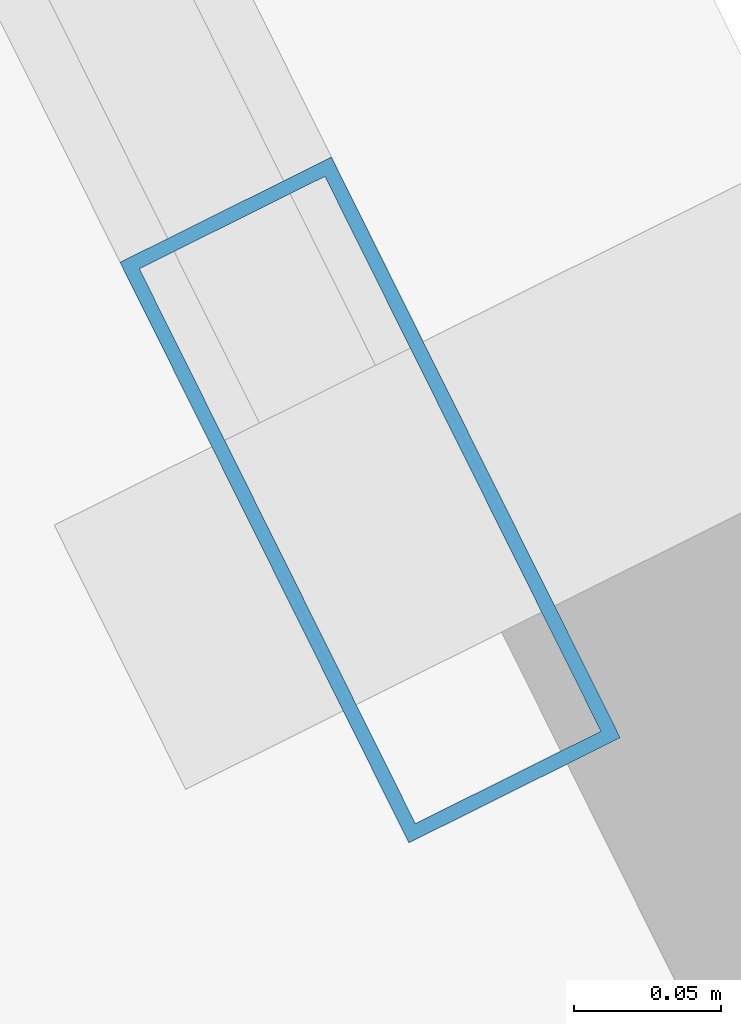
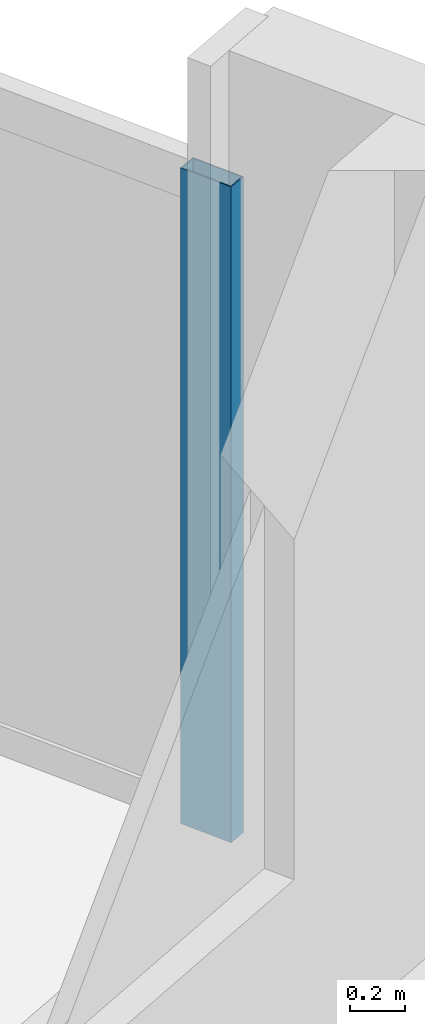
# One storey, part 23 of 35: 1 member, 1 element without a shape of its own.
"""IFC4 building model written with IfcOpenShell, lengths in metres."""

from ifc_helpers import new_model, si_unit, direction, frame, origin, origin_2d, place, context, subcontext, project, spatial, hollow_rectangle, extrude, material, material_profile, profile_set, type_object, element, aggregate, save


model = new_model("IFC4")

# Units and contexts
model_context = context("Model", 3, precision=1e-05, world=origin(), true_north=direction((0.0, 1.0)))
body_context = subcontext(model_context, "Body", "Model", "MODEL_VIEW")
ifc_project = project(units=[si_unit("LENGTHUNIT", "METRE"), si_unit("AREAUNIT", "SQUARE_METRE"), si_unit("VOLUMEUNIT", "CUBIC_METRE"), si_unit("PLANEANGLEUNIT", "RADIAN"), si_unit("MASSUNIT", "GRAM", prefix="KILO")], contexts=[model_context])

# Site, building, storey
site_placement = place(None, origin())
site = spatial("IfcSite", under=ifc_project, at=site_placement, CompositionType="ELEMENT")
building_placement = place(site_placement, origin())
building = spatial("IfcBuilding", under=site, at=building_placement, Name="Haldenkirk Collegiate Tower", CompositionType="ELEMENT")
storey_placement = place(building_placement, frame((0.0, 0.0, 116.699951171875)))
storey = spatial("IfcBuildingStorey", under=building, at=storey_placement, Name="L28", CompositionType="ELEMENT", Elevation=116.699951171875)

# Curtain wall, member
ifc_material = material(Name="Anodised architectural bronze aluminium", Category="aluminium")
curtain_wall_type = type_object("IfcCurtainWallType", Name="CW-SYS1-CONVEX-LOW", PredefinedType="USERDEFINED", material=ifc_material)
curtain_wall_placement = place(storey_placement, origin())
curtain_wall = element("IfcCurtainWall", 1, at=curtain_wall_placement, inside=storey, type_object=curtain_wall_type, Name="L28 Lower tower convex bronze-framed unitised curtain wall", ObjectType="UNITISED CURTAIN WALL", PredefinedType="USERDEFINED")
ifc_material_profile = material_profile(ifc_material, hollow_rectangle(XDim=0.080078125, YDim=0.219970703125, WallThickness=0.0048828125, at=origin_2d()), Name="CW-MUL-1A")
ifc_profile_set = profile_set([ifc_material_profile], Name="Anodised architectural bronze aluminium")
member_type = type_object("IfcMemberType", Name="CW-MUL-1A", PredefinedType="MULLION", material=ifc_profile_set)
member_placement = place(storey_placement, frame((67.483154296875, 20.123046875, 0.0), z_axis=(0.0, 0.0, 1.0), x_axis=(0.895323653183, 0.445416160519, 0.0)))
member = element("IfcMember", 2, at=member_placement, type_object=member_type, Name="CW-1A mullion 5", PredefinedType="MULLION", context=body_context, shape_type="SweptSolid", body=[
    extrude(hollow_rectangle(XDim=0.080078125, YDim=0.219970703125, WallThickness=0.0048828125, at=origin_2d()), origin(), (0.0, 0.0, 1.0), 2.901123046875),
])
aggregate(curtain_wall, [member])

save(model, "model.ifc")
